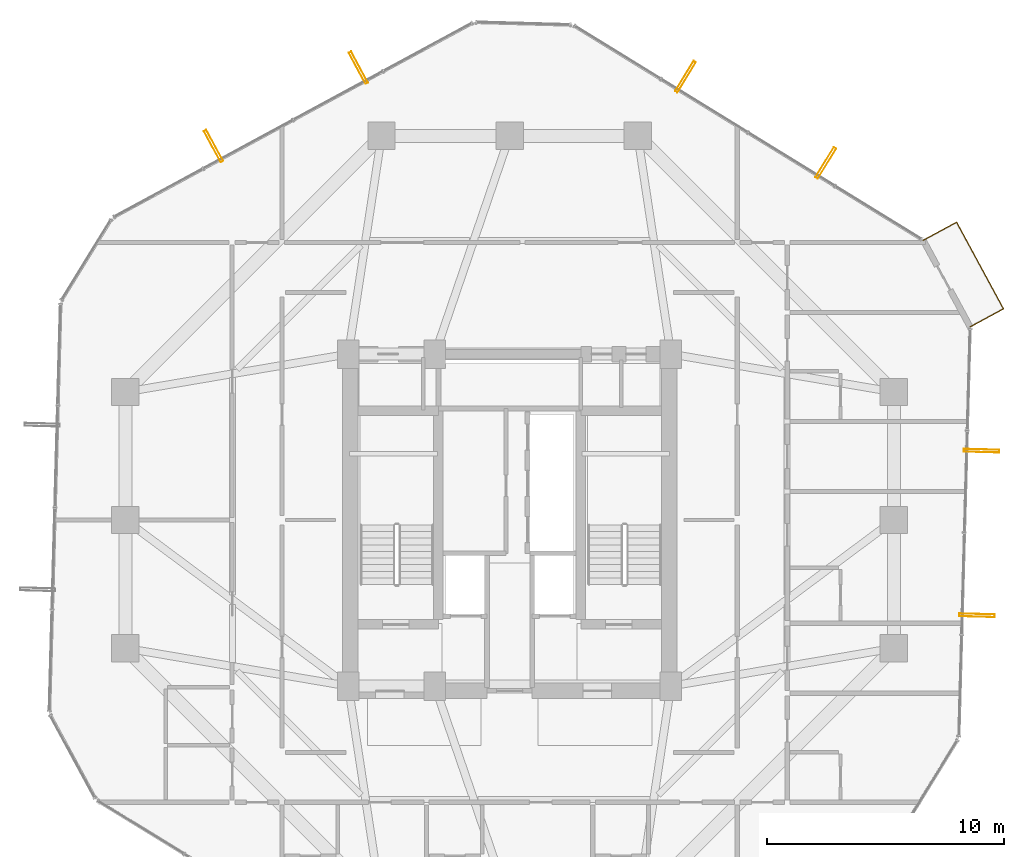
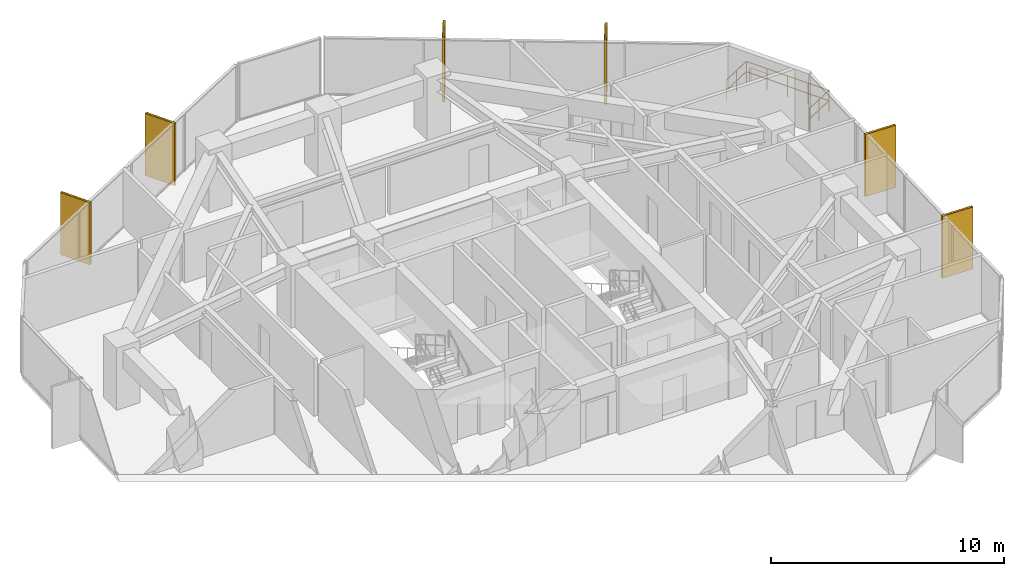
# One storey, part 30 of 30: 6 shading devices, 1 railing.
"""IFC4 building model written with IfcOpenShell, lengths in metres."""

from ifc_helpers import new_model, si_unit, direction, frame, origin, origin_2d, place, context, subcontext, project, spatial, hollow_rectangle, circle, extrude, material, material_profile, profile_set, type_object, element, save


model = new_model("IFC4")

# Units and contexts
model_context = context("Model", 3, precision=1e-05, world=origin(), true_north=direction((0.0, 1.0)))
body_context = subcontext(model_context, "Body", "Model", "MODEL_VIEW")
ifc_project = project(units=[si_unit("LENGTHUNIT", "METRE"), si_unit("AREAUNIT", "SQUARE_METRE"), si_unit("VOLUMEUNIT", "CUBIC_METRE"), si_unit("PLANEANGLEUNIT", "RADIAN"), si_unit("MASSUNIT", "GRAM", prefix="KILO")], contexts=[model_context])

# Site, building, storey
site_placement = place(None, origin())
site = spatial("IfcSite", under=ifc_project, at=site_placement, CompositionType="ELEMENT")
building_placement = place(site_placement, origin())
building = spatial("IfcBuilding", under=site, at=building_placement, Name="Veraguas Prism Commons", CompositionType="ELEMENT")
storey_placement = place(building_placement, frame((0.0, 0.0, 123.0)))
storey = spatial("IfcBuildingStorey", under=building, at=storey_placement, Name="L34", CompositionType="ELEMENT", Elevation=123.0)

# Shading devices
ifc_material_1 = material(Name="Anodised aluminium EN AW-6063 T6", Category="aluminium")
ifc_material_profile = material_profile(ifc_material_1, hollow_rectangle(XDim=0.1201171875, YDim=1.489990234375, WallThickness=0.006103515625, at=origin_2d()), Name="FIN120X1490X6")
ifc_profile_set = profile_set([ifc_material_profile], Name="Anodised aluminium EN AW-6063 T6")
shading_device_type = type_object("IfcShadingDeviceType", Name="Deep Pale-Metal Vertical Solar Fin 120x1490", PredefinedType="USERDEFINED", material=ifc_profile_set)
for number, where, z_axis, x_axis, name in (
    (1, (37.329833984375, 39.056396484375, -0.22998046875), (0.0, 0.0, 1.0), (-0.851908873825, 0.523690052129, 0.0), "Vertical Pale-Metal Solar Fin L34-F1A"),
    (2, (31.416015625, 42.69189453125, -0.22998046875), (0.0, 0.0, 1.0), (-0.851908873825, 0.523690052129, 0.0), "Vertical Pale-Metal Solar Fin L34-F1B"),
    (3, (17.62548828125, 43.072265625, -0.22998046875), (0.0, 0.0, 1.0), (-0.87948249511, -0.475931235364, 0.0), "Vertical Pale-Metal Solar Fin L34-F2A"),
    (4, (11.5205078125, 39.768310546875, -0.22998046875), (0.0, 0.0, 1.0), (-0.87948249511, -0.475931235364, 0.0), "Vertical Pale-Metal Solar Fin L34-F2B"),
    (5, (43.7041015625, 19.984375, -0.22998046875), (0.0, 0.0, 1.0), (0.027572707275, 0.999619800631, 0.0), "Vertical Pale-Metal Solar Fin L34-F6A"),
    (6, (43.8955078125, 26.92333984375, -0.22998046875), (0.0, 0.0, 1.0), (0.027572707275, 0.999619800631, 0.0), "Vertical Pale-Metal Solar Fin L34-F6B"),
):
    element("IfcShadingDevice", number, at=place(storey_placement, frame(where, z_axis=z_axis, x_axis=x_axis)), inside=storey, type_object=shading_device_type, Name=name, ObjectType="FIN", PredefinedType="USERDEFINED", context=body_context, shape_type="SweptSolid", body=[
        extrude(hollow_rectangle(XDim=0.1201171875, YDim=1.489990234375, WallThickness=0.006103515625, at=origin_2d()), origin(), (0.0, 0.0, 1.0), 3.25),
    ])

# Railing
ifc_material_2 = material(Name="Stainless steel AISI 316", Category="steel")
railing_type = type_object("IfcRailingType", Name="Loggia and Sky Pool Glazed Balustrade 1120", PredefinedType="BALUSTRADE", material=ifc_material_2)
railing_placement = place(storey_placement, frame((43.414306640625, 32.14501953125, 0.0)))
element("IfcRailing", 7, at=railing_placement, inside=storey, type_object=railing_type, Name="Recessed Corner Loggia L34-C1 Guard", PredefinedType="BALUSTRADE", context=body_context, shape_type="SweptSolid", body=[
    extrude(circle(Radius=0.02392578125, at=origin_2d()), frame((0.0, 0.0, 1.09619140625), z_axis=(0.879494240203, 0.475909530741, 0.0), x_axis=(-0.475909530741, 0.879494240203, 0.0)), (0.0, 0.0, 1.0), 1.60009765625),
    extrude(circle(Radius=0.02392578125, at=origin_2d()), frame((0.0, 0.0, 0.56005859375), z_axis=(0.879494240203, 0.475909530741, 0.0), x_axis=(-0.475909530741, 0.879494240203, 0.0)), (0.0, 0.0, 1.0), 1.60009765625),
    extrude(circle(Radius=0.02392578125, at=origin_2d()), frame((1.4072265625, 0.761474609375, 1.09619140625), z_axis=(-0.475925189908, 0.879485766577, 0.0), x_axis=(-0.879485766577, -0.475925189908, 0.0)), (0.0, 0.0, 1.0), 4.153076171875),
    extrude(circle(Radius=0.02392578125, at=origin_2d()), frame((1.4072265625, 0.761474609375, 0.56005859375), z_axis=(-0.475925189908, 0.879485766577, 0.0), x_axis=(-0.879485766577, -0.475925189908, 0.0)), (0.0, 0.0, 1.0), 4.153076171875),
    extrude(circle(Radius=0.02392578125, at=origin_2d()), frame((-0.5693359375, 4.4140625, 1.09619140625), z_axis=(-0.879494240203, -0.475909530741, 0.0), x_axis=(0.475909530741, -0.879494240203, 0.0)), (0.0, 0.0, 1.0), 1.60009765625),
    extrude(circle(Radius=0.02392578125, at=origin_2d()), frame((-0.5693359375, 4.4140625, 0.56005859375), z_axis=(-0.879494240203, -0.475909530741, 0.0), x_axis=(0.475909530741, -0.879494240203, 0.0)), (0.0, 0.0, 1.0), 1.60009765625),
    extrude(circle(Radius=0.02099609375, at=origin_2d()), origin(), (0.0, 0.0, 1.0), 1.072021484375),
    extrude(circle(Radius=0.02099609375, at=origin_2d()), frame((0.70361328125, 0.380859375, 0.0)), (0.0, 0.0, 1.0), 1.072021484375),
    extrude(circle(Radius=0.02099609375, at=origin_2d()), frame((1.4072265625, 0.761474609375, 0.0)), (0.0, 0.0, 1.0), 1.072021484375),
    extrude(circle(Radius=0.02099609375, at=origin_2d()), frame((0.9130859375, 1.674560546875, 0.0)), (0.0, 0.0, 1.0), 1.072021484375),
    extrude(circle(Radius=0.02099609375, at=origin_2d()), frame((0.4189453125, 2.587890625, 0.0)), (0.0, 0.0, 1.0), 1.072021484375),
    extrude(circle(Radius=0.02099609375, at=origin_2d()), frame((-0.0751953125, 3.5009765625, 0.0)), (0.0, 0.0, 1.0), 1.072021484375),
    extrude(circle(Radius=0.02099609375, at=origin_2d()), frame((-0.5693359375, 4.4140625, 0.0)), (0.0, 0.0, 1.0), 1.072021484375),
    extrude(circle(Radius=0.02099609375, at=origin_2d()), frame((-1.27294921875, 4.033203125, 0.0)), (0.0, 0.0, 1.0), 1.072021484375),
    extrude(circle(Radius=0.02099609375, at=origin_2d()), frame((-1.9765625, 3.652587890625, 0.0)), (0.0, 0.0, 1.0), 1.072021484375),
])

save(model, "model.ifc")
